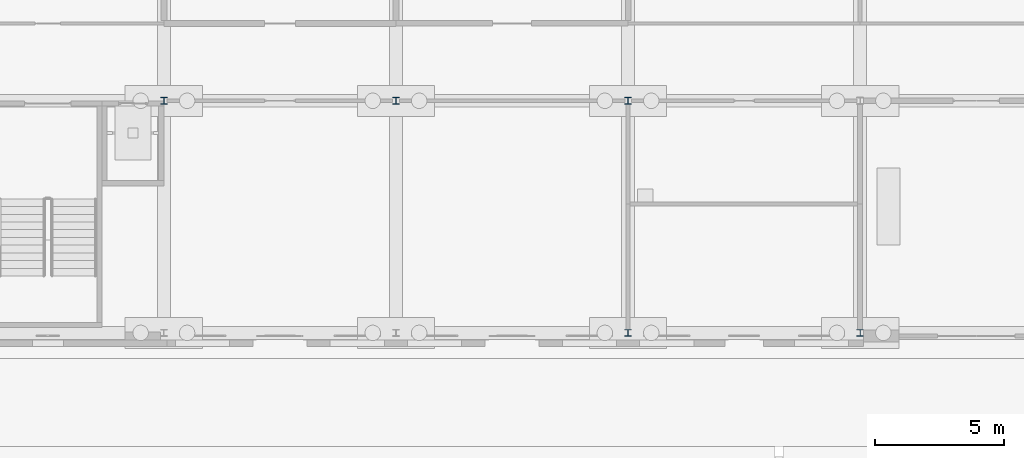
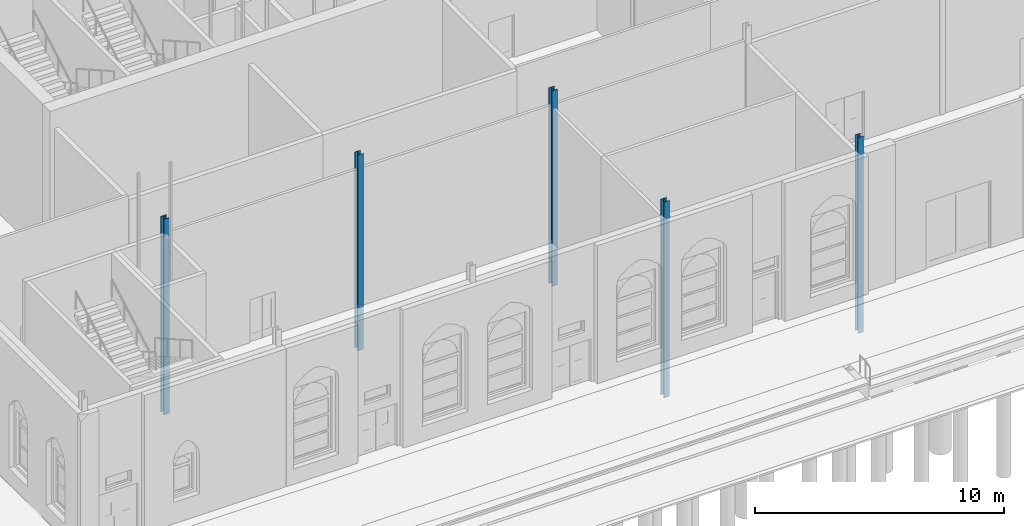
# One storey, part 10 of 250: 5 columns.
"""IFC4 building model written with IfcOpenShell, lengths in metres."""

from ifc_helpers import new_model, si_unit, direction, frame, origin, origin_2d, place, context, subcontext, project, spatial, i_section, extrude, material, material_profile, profile_set, type_object, element, save


model = new_model("IFC4")

# Units and contexts
model_context = context("Model", 3, precision=1e-05, world=origin(), true_north=direction((0.0, 1.0)))
body_context = subcontext(model_context, "Body", "Model", "MODEL_VIEW")
ifc_project = project(units=[si_unit("LENGTHUNIT", "METRE"), si_unit("AREAUNIT", "SQUARE_METRE"), si_unit("VOLUMEUNIT", "CUBIC_METRE"), si_unit("PLANEANGLEUNIT", "RADIAN"), si_unit("MASSUNIT", "GRAM", prefix="KILO")], contexts=[model_context])

# Site, building, storey
site_placement = place(None, origin())
site = spatial("IfcSite", under=ifc_project, at=site_placement, CompositionType="ELEMENT")
building_placement = place(site_placement, origin())
building = spatial("IfcBuilding", under=site, at=building_placement, Name="Baradari Gate Terminus", CompositionType="ELEMENT")
storey_placement = place(building_placement, origin())
storey = spatial("IfcBuildingStorey", under=building, at=storey_placement, Name="L00", CompositionType="ELEMENT", Elevation=0.0)

# Columns
ifc_material_1 = material(Name="Steel S355", Category="steel")
ifc_material_profile_1 = material_profile(ifc_material_1, i_section(OverallWidth=0.25634765625, OverallDepth=0.26025390625, WebThickness=0.01025390625, FlangeThickness=0.017333984375, FilletRadius=0.0126953125, at=origin_2d()), Name="UC 254x254x89")
ifc_profile_set_1 = profile_set([ifc_material_profile_1], Name="Steel S355")
column_type_1 = type_object("IfcColumnType", Name="South wing column C04 UC 254x254x89", PredefinedType="COLUMN", material=ifc_profile_set_1)
for number, where, z_axis, x_axis, name in (
    (1, (72.0, 18.0, -2.10009765625), (0.0, 0.0, 1.0), (1.0, 0.0, 0.0), "C04 column 9-C L00"),
    (2, (81.0, 18.0, -2.10009765625), (0.0, 0.0, 1.0), (1.0, 0.0, 0.0), "C04 column 10-C L00"),
    (3, (90.0, 18.0, -2.10009765625), (0.0, 0.0, 1.0), (1.0, 0.0, 0.0), "C04 column 11-C L00"),
):
    element("IfcColumn", number, at=place(storey_placement, frame(where, z_axis=z_axis, x_axis=x_axis)), inside=storey, type_object=column_type_1, Name=name, PredefinedType="COLUMN", context=body_context, shape_type="SweptSolid", body=[
        extrude(i_section(OverallWidth=0.25634765625, OverallDepth=0.26025390625, WebThickness=0.01025390625, FlangeThickness=0.017333984375, FilletRadius=0.0126953125, at=origin_2d()), origin(), (0.0, 0.0, 1.0), 9.60009765625),
    ])
ifc_material_2 = material(Name="Steel S355", Category="steel")
ifc_material_profile_2 = material_profile(ifc_material_2, i_section(OverallWidth=0.254638671875, OverallDepth=0.254150390625, WebThickness=0.008544921875, FlangeThickness=0.01416015625, FilletRadius=0.0126953125, at=origin_2d()), Name="UC 254x254x73")
ifc_profile_set_2 = profile_set([ifc_material_profile_2], Name="Steel S355")
column_type_2 = type_object("IfcColumnType", Name="South wing facade column C03 UC 254x254x73", PredefinedType="COLUMN", material=ifc_profile_set_2)
for number, where, z_axis, x_axis, name in (
    (4, (90.0, 9.0, -2.10009765625), (0.0, 0.0, 1.0), (1.0, 0.0, 0.0), "C03 column 11-B L00"),
    (5, (99.0, 9.0, -2.10009765625), (0.0, 0.0, 1.0), (1.0, 0.0, 0.0), "C03 column 12-B L00"),
):
    element("IfcColumn", number, at=place(storey_placement, frame(where, z_axis=z_axis, x_axis=x_axis)), inside=storey, type_object=column_type_2, Name=name, PredefinedType="COLUMN", context=body_context, shape_type="SweptSolid", body=[
        extrude(i_section(OverallWidth=0.254638671875, OverallDepth=0.254150390625, WebThickness=0.008544921875, FlangeThickness=0.01416015625, FilletRadius=0.0126953125, at=origin_2d()), origin(), (0.0, 0.0, 1.0), 9.60009765625),
    ])

save(model, "model.ifc")
